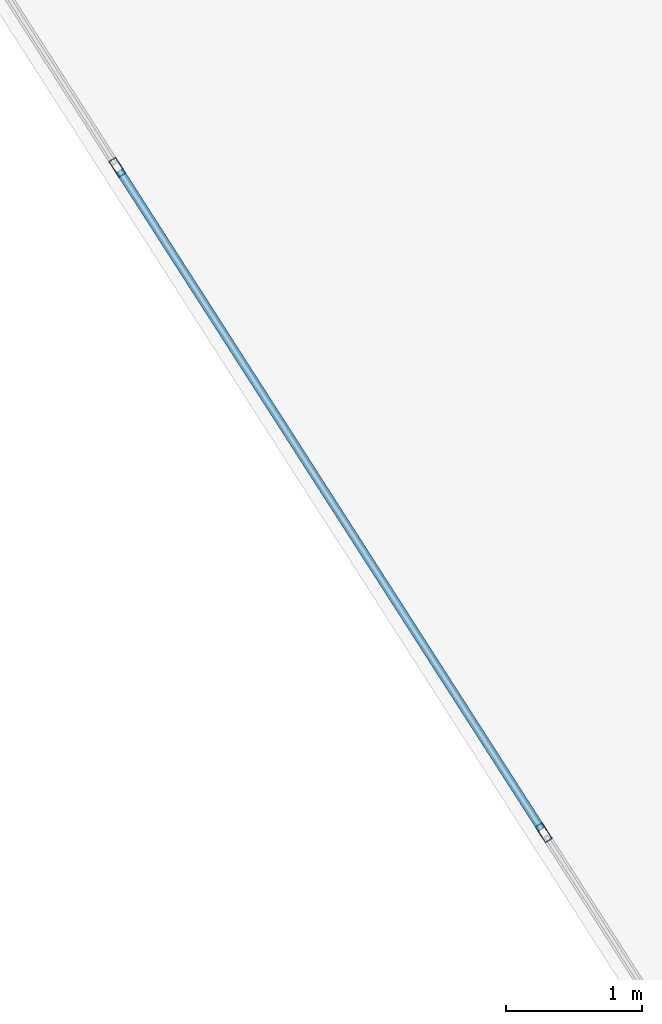
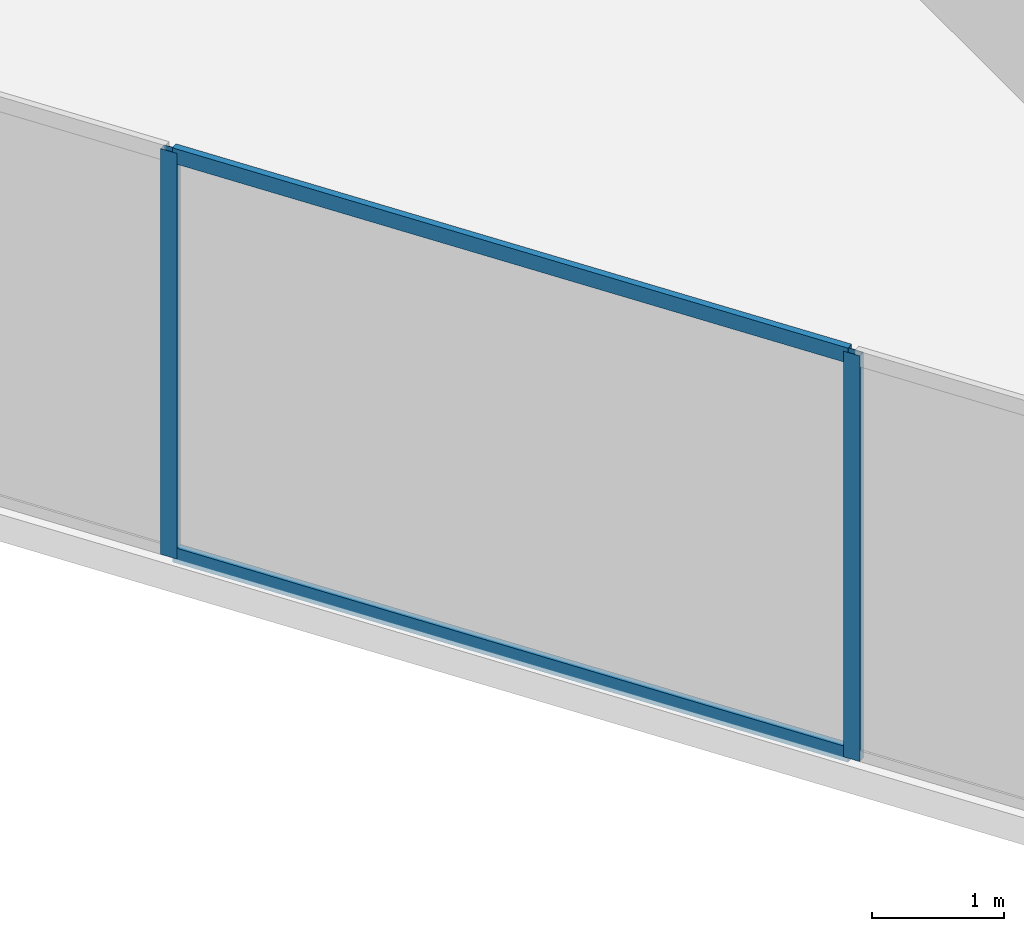
# One storey, part 17 of 26: 4 members, 1 element without a shape of its own.
"""IFC4 building model written with IfcOpenShell, lengths in metres."""

from ifc_helpers import new_model, si_unit, direction, frame, origin, origin_2d, place, context, subcontext, project, spatial, hollow_rectangle, extrude, material, layer, layer_set, material_profile, profile_set, type_object, element, aggregate, save


model = new_model("IFC4")

# Units and contexts
model_context = context("Model", 3, precision=1e-05, world=origin(), true_north=direction((0.0, 1.0)))
body_context = subcontext(model_context, "Body", "Model", "MODEL_VIEW")
ifc_project = project(units=[si_unit("LENGTHUNIT", "METRE"), si_unit("AREAUNIT", "SQUARE_METRE"), si_unit("VOLUMEUNIT", "CUBIC_METRE"), si_unit("PLANEANGLEUNIT", "RADIAN"), si_unit("MASSUNIT", "GRAM", prefix="KILO")], contexts=[model_context])

# Site, building, storey
site_placement = place(None, origin())
site = spatial("IfcSite", under=ifc_project, at=site_placement, CompositionType="ELEMENT")
building_placement = place(site_placement, origin())
building = spatial("IfcBuilding", under=site, at=building_placement, Name="Kravanh Interchange Tower", CompositionType="ELEMENT")
storey_placement = place(building_placement, frame((0.0, 0.0, 120.0)))
storey = spatial("IfcBuildingStorey", under=building, at=storey_placement, Name="L28", CompositionType="ELEMENT", Elevation=120.0)

# Curtain wall, members
ifc_material_1 = material(Name="Anodised Bronze Aluminium", Category="aluminium")
ifc_layer = layer(ifc_material_1, 0.179931640625)
ifc_layer_set = layer_set([ifc_layer], Name="Unitised Curtain Wall System CW-Z2 Mid Office")
curtain_wall_type = type_object("IfcCurtainWallType", Name="Unitised Curtain Wall System CW-Z2 Mid Office", PredefinedType="NOTDEFINED", material=ifc_layer_set)
curtain_wall_placement = place(storey_placement, origin())
curtain_wall = element("IfcCurtainWall", 1, at=curtain_wall_placement, inside=storey, type_object=curtain_wall_type, Name="L28 Unitised Curtain Wall CW-L28-04", PredefinedType="NOTDEFINED")
ifc_material_2 = material(Name="Anodised Bronze Aluminium", Category="aluminium")
ifc_material_profile_1 = material_profile(ifc_material_2, hollow_rectangle(XDim=0.06005859375, YDim=0.139892578125, WallThickness=0.00390625, at=origin_2d()), Name="ALU60X140X4")
ifc_profile_set_1 = profile_set([ifc_material_profile_1], Name="Anodised Bronze Aluminium")
member_type_1 = type_object("IfcMemberType", Name="Curtain Wall Mullion ALU60X140X4 Bronze", PredefinedType="MULLION", material=ifc_profile_set_1)
member_1_placement = place(storey_placement, frame((45.8828125, 16.12109375, 0.0), z_axis=(0.0, 0.0, 1.0), x_axis=(-0.841879939476, -0.539664865919, 0.0)))
member_1 = element("IfcMember", 2, at=member_1_placement, type_object=member_type_1, Name="CW-Z2 mullion 3", PredefinedType="MULLION", context=body_context, shape_type="SweptSolid", body=[
    extrude(hollow_rectangle(XDim=0.06005859375, YDim=0.139892578125, WallThickness=0.00390625, at=origin_2d()), origin(), (0.0, 0.0, 1.0), 3.75),
])
member_2_placement = place(storey_placement, frame((42.741455078125, 21.021728515625, 0.0), z_axis=(0.0, 0.0, 1.0), x_axis=(-0.841879939476, -0.539664865919, 0.0)))
member_2 = element("IfcMember", 3, at=member_2_placement, type_object=member_type_1, Name="CW-Z2 mullion 4", PredefinedType="MULLION", context=body_context, shape_type="SweptSolid", body=[
    extrude(hollow_rectangle(XDim=0.06005859375, YDim=0.139892578125, WallThickness=0.00390625, at=origin_2d()), origin(), (0.0, 0.0, 1.0), 3.75),
])
ifc_material_3 = material(Name="Anodised Bronze Aluminium", Category="aluminium")
ifc_material_profile_2 = material_profile(ifc_material_3, hollow_rectangle(XDim=0.06005859375, YDim=0.139892578125, WallThickness=0.00390625, at=origin_2d()), Name="ALU60X140X4")
ifc_profile_set_2 = profile_set([ifc_material_profile_2], Name="Anodised Bronze Aluminium")
member_type_2 = type_object("IfcMemberType", Name="Curtain Wall Transom ALU60X140X4 Bronze", PredefinedType="USERDEFINED", material=ifc_profile_set_2)
member_3_placement = place(storey_placement, frame((45.86669921875, 16.146484375, 0.030029296875), z_axis=(-0.539677666788, 0.84187173368, 0.0), x_axis=(-0.84187173368, -0.539677666788, 0.0)))
member_3 = element("IfcMember", 4, at=member_3_placement, type_object=member_type_2, Name="CW-Z2 transom 3.1", ObjectType="TRANSOM", PredefinedType="USERDEFINED", context=body_context, shape_type="SweptSolid", body=[
    extrude(hollow_rectangle(XDim=0.06005859375, YDim=0.139892578125, WallThickness=0.00390625, at=origin_2d()), origin(), (0.0, 0.0, 1.0), 5.760986328125),
])
member_4_placement = place(storey_placement, frame((45.86669921875, 16.146484375, 3.719970703125), z_axis=(-0.539677666788, 0.84187173368, 0.0), x_axis=(-0.84187173368, -0.539677666788, 0.0)))
member_4 = element("IfcMember", 5, at=member_4_placement, type_object=member_type_2, Name="CW-Z2 transom 3.2", ObjectType="TRANSOM", PredefinedType="USERDEFINED", context=body_context, shape_type="SweptSolid", body=[
    extrude(hollow_rectangle(XDim=0.06005859375, YDim=0.139892578125, WallThickness=0.00390625, at=origin_2d()), origin(), (0.0, 0.0, 1.0), 5.760986328125),
])
aggregate(curtain_wall, [member_1, member_2, member_3, member_4])

save(model, "model.ifc")
